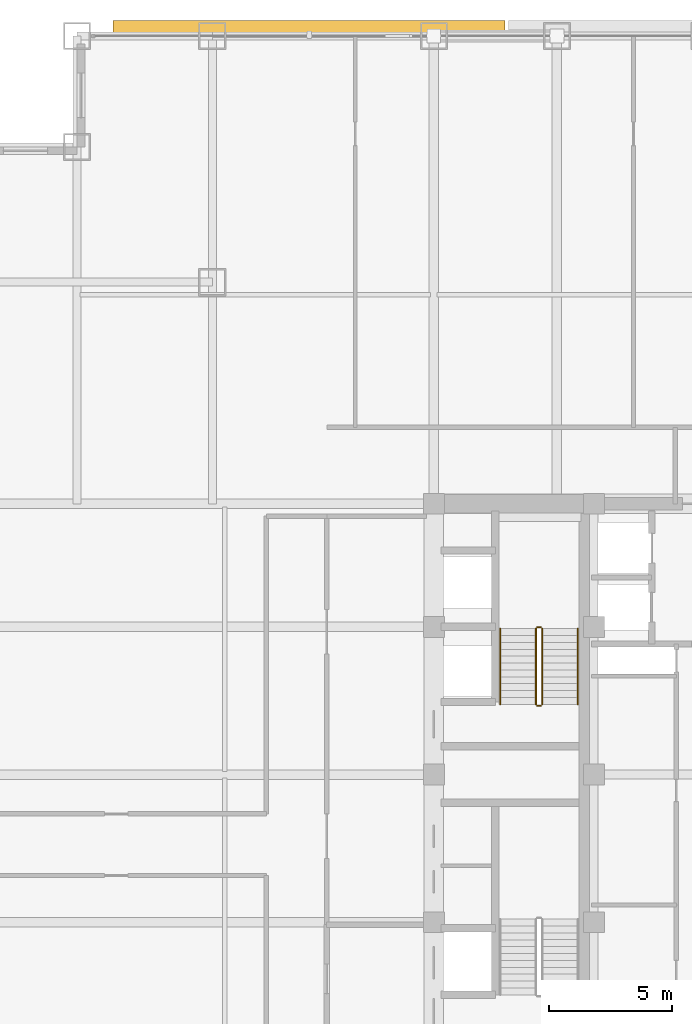
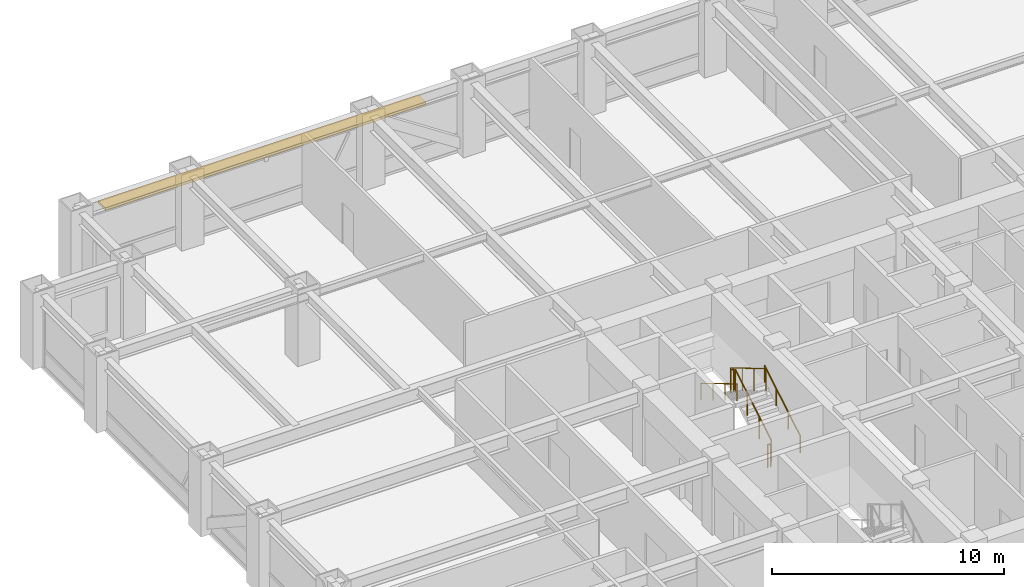
# One storey, part 27 of 28: 6 railings, 1 shading device.
"""IFC4 building model written with IfcOpenShell, lengths in metres."""

from ifc_helpers import new_model, si_unit, direction, frame, origin, origin_2d, place, context, subcontext, project, spatial, rectangle, circle, extrude, source, transform, mapped, material, layer, layer_set, type_object, element, save


model = new_model("IFC4")

# Units and contexts
model_context = context("Model", 3, precision=1e-05, world=origin(), true_north=direction((0.0, 1.0)))
body_context = subcontext(model_context, "Body", "Model", "MODEL_VIEW")
ifc_project = project(units=[si_unit("LENGTHUNIT", "METRE"), si_unit("AREAUNIT", "SQUARE_METRE"), si_unit("VOLUMEUNIT", "CUBIC_METRE"), si_unit("PLANEANGLEUNIT", "RADIAN"), si_unit("MASSUNIT", "GRAM", prefix="KILO")], contexts=[model_context])

# Site, building, storey
site_placement = place(None, origin())
site = spatial("IfcSite", under=ifc_project, at=site_placement, CompositionType="ELEMENT")
building_placement = place(site_placement, origin())
building = spatial("IfcBuilding", under=site, at=building_placement, Name="Khorayat Bourse Tower", CompositionType="ELEMENT")
storey_placement = place(building_placement, frame((0.0, 0.0, 187.10009765625)))
storey = spatial("IfcBuildingStorey", under=building, at=storey_placement, Name="L43", CompositionType="ELEMENT", Elevation=187.10009765625)

# Shading device
ifc_material_1 = material(Name="Precast concrete C45/55", Category="concrete")
ifc_layer = layer(ifc_material_1, 0.139892578125)
ifc_layer_set = layer_set([ifc_layer], Name="Precast concrete C45/55")
shading_device_type = type_object("IfcShadingDeviceType", Name="SHD-WAVE-TRAY-A", PredefinedType="USERDEFINED", material=ifc_layer_set)
shared_shape_1 = source(origin(), body_context, "Body", "SweptSolid", [
    extrude(rectangle(XDim=15.9267578125, YDim=0.65087890625, at=origin_2d()), origin(), (0.0, 0.0, 1.0), 0.139892578125),
])
shading_device_placement = place(storey_placement, frame((-16.066650390625, 30.305419921875, 3.02978515625), z_axis=(0.0, 0.0, 1.0), x_axis=(1.0, 0.0, 0.0)))
element("IfcShadingDevice", 1, at=shading_device_placement, inside=storey, type_object=shading_device_type, Name="L43 Sinusoidal Wave Sunshade Tray N-1", ObjectType="SUNSHADE", PredefinedType="USERDEFINED", context=body_context, shape_type="MappedRepresentation", body=[
    mapped(shared_shape_1, transform((0.0, 0.0, 0.0), scale=1.0)),
])

# Railings
ifc_material_2 = material(Name="Powder-coated steel balustrade", Category="steel")
railing_type_1 = type_object("IfcRailingType", Name="RLG-GUARD-1200", PredefinedType="GUARDRAIL", material=ifc_material_2)
shared_shape_2 = source(origin(), body_context, "Body", "SweptSolid", [
    extrude(circle(Radius=0.02392578125, at=origin_2d()), frame((0.0, 0.0, 1.17578125), z_axis=(-1.0, 0.0, 0.0), x_axis=(0.0, -1.0, 0.0)), (0.0, 0.0, 1.0), 0.150146484375),
    extrude(circle(Radius=0.02099609375, at=origin_2d()), origin(), (0.0, 0.0, 1.0), 1.15185546875),
    extrude(circle(Radius=0.02099609375, at=origin_2d()), frame((-0.150146484375, 0.0, 0.0)), (0.0, 0.0, 1.0), 1.15185546875),
])
for number, where, name in (
    (2, (-6.64990234375, 5.97998046875, 2.0), "L43 ST-2 stair guard 2"),
    (3, (-6.64990234375, 2.800048828125, 0.0), "L43 ST-2 stair guard 4"),
):
    element("IfcRailing", number, at=place(storey_placement, frame(where)), inside=storey, type_object=railing_type_1, Name=name, PredefinedType="GUARDRAIL", context=body_context, shape_type="MappedRepresentation", body=[
        mapped(shared_shape_2, transform((0.0, 0.0, 0.0), scale=1.0)),
    ])
shared_shape_3 = source(origin(), body_context, "Body", "SweptSolid", [
    extrude(circle(Radius=0.02392578125, at=origin_2d()), frame((0.0, 0.0, 1.17578125), z_axis=(0.0, 0.859260807169, 0.511537745687), x_axis=(-1.0, 0.0, 0.0)), (0.0, 0.0, 1.0), 3.584228515625),
    extrude(circle(Radius=0.02099609375, at=origin_2d()), origin(), (0.0, 0.0, 1.0), 1.15185546875),
    extrude(circle(Radius=0.02099609375, at=origin_2d()), frame((0.0, 1.026611328125, 0.611083984375)), (0.0, 0.0, 1.0), 1.15185546875),
    extrude(circle(Radius=0.02099609375, at=origin_2d()), frame((0.0, 2.05322265625, 1.222412109375)), (0.0, 0.0, 1.0), 1.15185546875),
    extrude(circle(Radius=0.02099609375, at=origin_2d()), frame((0.0, 3.079833984375, 1.83349609375)), (0.0, 0.0, 1.0), 1.15185546875),
])
railing_1_placement = place(storey_placement, frame((-6.60009765625, 2.85009765625, 0.16650390625)))
element("IfcRailing", 4, at=railing_1_placement, inside=storey, type_object=railing_type_1, Name="L43 ST-2 stair guard 1", PredefinedType="GUARDRAIL", context=body_context, shape_type="MappedRepresentation", body=[
    mapped(shared_shape_3, transform((0.0, 0.0, 0.0), scale=1.0)),
])
shared_shape_4 = source(origin(), body_context, "Body", "SweptSolid", [
    extrude(circle(Radius=0.02392578125, at=origin_2d()), frame((0.0, 0.0, 1.17578125), z_axis=(0.0, -0.859260807169, 0.511537745687), x_axis=(1.0, 0.0, 0.0)), (0.0, 0.0, 1.0), 3.584228515625),
    extrude(circle(Radius=0.02099609375, at=origin_2d()), origin(), (0.0, 0.0, 1.0), 1.15185546875),
    extrude(circle(Radius=0.02099609375, at=origin_2d()), frame((0.0, -1.026611328125, 0.611083984375)), (0.0, 0.0, 1.0), 1.15185546875),
    extrude(circle(Radius=0.02099609375, at=origin_2d()), frame((0.0, -2.05322265625, 1.222412109375)), (0.0, 0.0, 1.0), 1.15185546875),
    extrude(circle(Radius=0.02099609375, at=origin_2d()), frame((0.0, -3.079833984375, 1.83349609375)), (0.0, 0.0, 1.0), 1.15185546875),
])
railing_2_placement = place(storey_placement, frame((-6.85009765625, 5.929931640625, 2.16650390625)))
element("IfcRailing", 5, at=railing_2_placement, inside=storey, type_object=railing_type_1, Name="L43 ST-2 stair guard 3", PredefinedType="GUARDRAIL", context=body_context, shape_type="MappedRepresentation", body=[
    mapped(shared_shape_4, transform((0.0, 0.0, 0.0), scale=1.0)),
])
ifc_material_3 = material(Name="Brushed bronze stainless-steel handrail", Category="steel")
railing_type_2 = type_object("IfcRailingType", Name="RLG-HAND-900", PredefinedType="HANDRAIL", material=ifc_material_3)
shared_shape_5 = source(origin(), body_context, "Body", "SweptSolid", [
    extrude(circle(Radius=0.02392578125, at=origin_2d()), frame((0.0, 0.0, 0.8759765625), z_axis=(0.0, 0.859260807169, 0.511537745687), x_axis=(-1.0, 0.0, 0.0)), (0.0, 0.0, 1.0), 3.584228515625),
    extrude(circle(Radius=0.02099609375, at=origin_2d()), origin(), (0.0, 0.0, 1.0), 0.851806640625),
    extrude(circle(Radius=0.02099609375, at=origin_2d()), frame((0.0, 1.026611328125, 0.611083984375)), (0.0, 0.0, 1.0), 0.851806640625),
    extrude(circle(Radius=0.02099609375, at=origin_2d()), frame((0.0, 2.05322265625, 1.222412109375)), (0.0, 0.0, 1.0), 0.851806640625),
    extrude(circle(Radius=0.02099609375, at=origin_2d()), frame((0.0, 3.079833984375, 1.83349609375)), (0.0, 0.0, 1.0), 0.851806640625),
])
railing_3_placement = place(storey_placement, frame((-5.14990234375, 2.85009765625, 0.16650390625)))
element("IfcRailing", 6, at=railing_3_placement, inside=storey, type_object=railing_type_2, Name="L43 ST-2 stair handrail 1", PredefinedType="HANDRAIL", context=body_context, shape_type="MappedRepresentation", body=[
    mapped(shared_shape_5, transform((0.0, 0.0, 0.0), scale=1.0)),
])
shared_shape_6 = source(origin(), body_context, "Body", "SweptSolid", [
    extrude(circle(Radius=0.02392578125, at=origin_2d()), frame((0.0, 0.0, 0.8759765625), z_axis=(0.0, -0.859260807169, 0.511537745687), x_axis=(1.0, 0.0, 0.0)), (0.0, 0.0, 1.0), 3.584228515625),
    extrude(circle(Radius=0.02099609375, at=origin_2d()), origin(), (0.0, 0.0, 1.0), 0.851806640625),
    extrude(circle(Radius=0.02099609375, at=origin_2d()), frame((0.0, -1.026611328125, 0.611083984375)), (0.0, 0.0, 1.0), 0.851806640625),
    extrude(circle(Radius=0.02099609375, at=origin_2d()), frame((0.0, -2.05322265625, 1.222412109375)), (0.0, 0.0, 1.0), 0.851806640625),
    extrude(circle(Radius=0.02099609375, at=origin_2d()), frame((0.0, -3.079833984375, 1.83349609375)), (0.0, 0.0, 1.0), 0.851806640625),
])
railing_4_placement = place(storey_placement, frame((-8.300048828125, 5.929931640625, 2.16650390625)))
element("IfcRailing", 7, at=railing_4_placement, inside=storey, type_object=railing_type_2, Name="L43 ST-2 stair handrail 2", PredefinedType="HANDRAIL", context=body_context, shape_type="MappedRepresentation", body=[
    mapped(shared_shape_6, transform((0.0, 0.0, 0.0), scale=1.0)),
])

save(model, "model.ifc")
